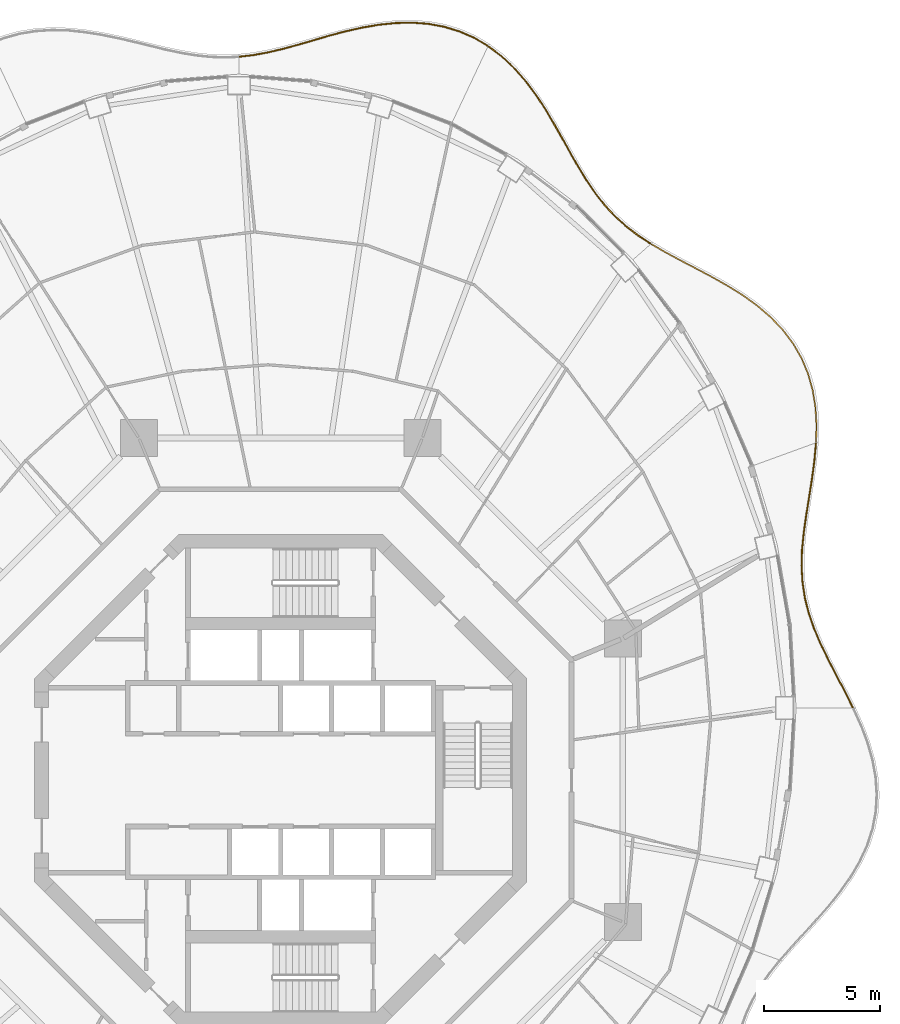
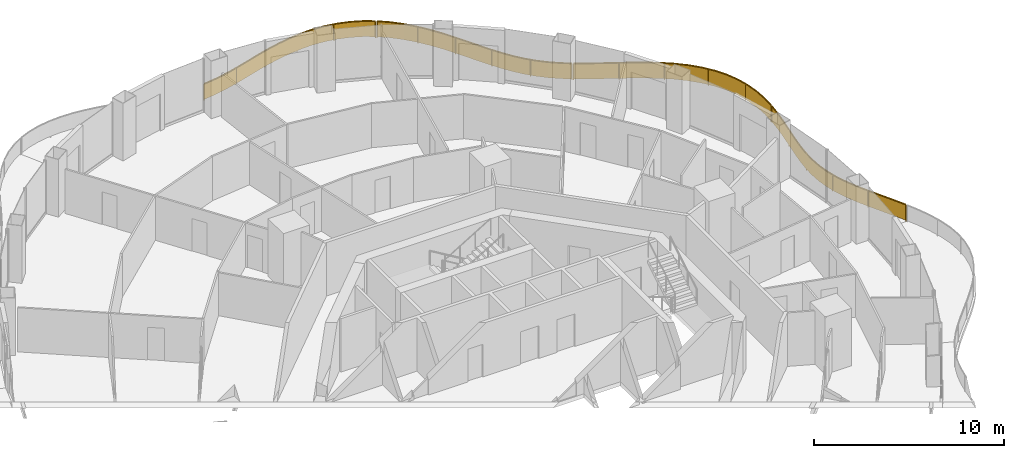
# One storey, part 18 of 18: 4 railings.
"""IFC4 building model written with IfcOpenShell, lengths in metres."""

from ifc_helpers import new_model, si_unit, direction, frame, origin, origin_2d, place, context, subcontext, project, spatial, polyline, rectangle, outline, extrude, material, type_object, element, save


model = new_model("IFC4")

# Units and contexts
model_context = context("Model", 3, precision=1e-05, world=origin(), true_north=direction((0.0, 1.0)))
body_context = subcontext(model_context, "Body", "Model", "MODEL_VIEW")
ifc_project = project(units=[si_unit("LENGTHUNIT", "METRE"), si_unit("AREAUNIT", "SQUARE_METRE"), si_unit("VOLUMEUNIT", "CUBIC_METRE"), si_unit("PLANEANGLEUNIT", "RADIAN"), si_unit("MASSUNIT", "GRAM", prefix="KILO")], contexts=[model_context])

# Site, building, storey
site_placement = place(None, origin())
site = spatial("IfcSite", under=ifc_project, at=site_placement, CompositionType="ELEMENT")
building_placement = place(site_placement, origin())
building = spatial("IfcBuilding", under=site, at=building_placement, Name="Nagisa Residences", CompositionType="ELEMENT")
storey_placement = place(building_placement, frame((0.0, 0.0, 245.5)))
storey = spatial("IfcBuildingStorey", under=building, at=storey_placement, Name="L62", CompositionType="ELEMENT", Elevation=245.5)

# Railings
ifc_material = material(Name="Stainless steel 316", Category="steel")
railing_type = type_object("IfcRailingType", Name="BALCONY GUARD 1100", PredefinedType="BALUSTRADE", material=ifc_material)
railing_1_placement = place(storey_placement, frame((24.716796875, 3.15185546875, 0.0)))
element("IfcRailing", 1, at=railing_1_placement, inside=storey, type_object=railing_type, Name="guard:L62:bal00-0", PredefinedType="BALUSTRADE", context=body_context, shape_type="SweptSolid", body=[
    extrude(outline(polyline([(-0.361083984375, 0.663818359375), (-0.0224609375, -0.01123046875), (0.0224609375, 0.01123046875), (-0.316650390625, 0.686767578125), (-0.682373046875, 1.387939453125), (-1.037841796875, 2.0751953125), (-1.365234375, 2.7509765625), (-1.6494140625, 3.41943359375), (-1.87744140625, 4.0712890625), (-2.044677734375, 4.73974609375), (-2.146728515625, 5.4169921875), (-2.184326171875, 6.107666015625), (-2.163818359375, 6.815673828125), (-2.09130859375, 7.530517578125), (-1.9873046875, 8.280029296875), (-1.86376953125, 9.049072265625), (-1.73974609375, 9.83447265625), (-1.633056640625, 10.631591796875), (-1.564453125, 11.387451171875), (-1.6142578125, 11.391845703125), (-1.682861328125, 10.636962890625), (-1.7890625, 9.841796875), (-1.9130859375, 9.056884765625), (-2.03662109375, 8.287353515625), (-2.14111328125, 7.536376953125), (-2.213623046875, 6.819091796875), (-2.234619140625, 6.107177734375), (-2.196533203125, 5.412109375), (-2.093994140625, 4.72998046875), (-1.92529296875, 4.05712890625), (-1.6962890625, 3.4013671875), (-1.41064453125, 2.73046875), (-1.082763671875, 2.052734375), (-0.726806640625, 1.364990234375), (-0.361083984375, 0.663818359375)])), frame((0.0, 0.0, 1.050048828125)), (0.0, 0.0, 1.0), 0.050048828125),
    extrude(outline(polyline([(-0.34521484375, 0.672119140625), (-0.00634765625, -0.003173828125), (0.00634765625, 0.003173828125), (-0.33251953125, 0.678466796875), (-0.698486328125, 1.379638671875), (-1.053955078125, 2.067138671875), (-1.381591796875, 2.74365234375), (-1.666259765625, 3.412841796875), (-1.894775390625, 4.066162109375), (-2.0625, 4.736328125), (-2.16455078125, 5.415283203125), (-2.202392578125, 6.107421875), (-2.181640625, 6.81689453125), (-2.109375, 7.53271484375), (-2.005126953125, 8.28271484375), (-1.881591796875, 9.0517578125), (-1.757568359375, 9.837158203125), (-1.651123046875, 10.633544921875), (-1.582275390625, 11.388916015625), (-1.596435546875, 11.390380859375), (-1.664794921875, 10.635009765625), (-1.771240234375, 9.839111328125), (-1.895263671875, 9.05419921875), (-2.018798828125, 8.28466796875), (-2.123046875, 7.5341796875), (-2.19580078125, 6.81787109375), (-2.216552734375, 6.107421875), (-2.1787109375, 5.413818359375), (-2.076171875, 4.7333984375), (-1.907958984375, 4.062255859375), (-1.679443359375, 3.407958984375), (-1.394287109375, 2.73779296875), (-1.066650390625, 2.060791015625), (-0.710693359375, 1.373291015625), (-0.34521484375, 0.672119140625)])), frame((0.0, 0.0, 0.06005859375)), (0.0, 0.0, 1.0), 0.989990234375),
    extrude(rectangle(XDim=0.0400390625, YDim=0.0400390625, at=origin_2d()), origin(), (0.0, 0.0, 1.0), 1.050048828125),
    extrude(rectangle(XDim=0.0400390625, YDim=0.0400390625, at=origin_2d()), frame((-1.085205078125, 2.115478515625, 0.0)), (0.0, 0.0, 1.0), 1.050048828125),
    extrude(rectangle(XDim=0.0400390625, YDim=0.0400390625, at=origin_2d()), frame((-1.965087890625, 4.319091796875, 0.0)), (0.0, 0.0, 1.0), 1.050048828125),
    extrude(rectangle(XDim=0.0400390625, YDim=0.0400390625, at=origin_2d()), frame((-2.19287109375, 6.675048828125, 0.0)), (0.0, 0.0, 1.0), 1.050048828125),
    extrude(rectangle(XDim=0.0400390625, YDim=0.0400390625, at=origin_2d()), frame((-1.891845703125, 9.0322265625, 0.0)), (0.0, 0.0, 1.0), 1.050048828125),
    extrude(rectangle(XDim=0.0400390625, YDim=0.0400390625, at=origin_2d()), frame((-1.58935546875, 11.3896484375, 0.0)), (0.0, 0.0, 1.0), 1.050048828125),
])
railing_2_placement = place(storey_placement, frame((23.1328125, 14.618408203125, 0.0)))
element("IfcRailing", 2, at=railing_2_placement, inside=storey, type_object=railing_type, Name="guard:L62:bal01-0", PredefinedType="BALUSTRADE", context=body_context, shape_type="SweptSolid", body=[
    extrude(outline(polyline([(-0.006103515625, 0.7265625), (-0.02490234375, 0.000732421875), (0.02490234375, -0.000732421875), (0.044189453125, 0.7275390625), (-0.001708984375, 1.490234375), (-0.121337890625, 2.233642578125), (-0.32177734375, 2.94970703125), (-0.60693359375, 3.630615234375), (-0.96923828125, 4.257568359375), (-1.41845703125, 4.85205078125), (-1.939453125, 5.399658203125), (-2.521728515625, 5.900634765625), (-3.152587890625, 6.357177734375), (-3.80859375, 6.762451171875), (-4.4912109375, 7.148681640625), (-5.17724609375, 7.512939453125), (-5.852783203125, 7.865478515625), (-6.505126953125, 8.217041015625), (-7.088134765625, 8.556884765625), (-7.113525390625, 8.513427734375), (-6.529541015625, 8.173583984375), (-5.876220703125, 7.821044921875), (-5.20068359375, 7.468505859375), (-4.51513671875, 7.104736328125), (-3.833984375, 6.719482421875), (-3.180419921875, 6.315673828125), (-2.552978515625, 5.861083984375), (-1.97412109375, 5.363525390625), (-1.45654296875, 4.81982421875), (-1.01123046875, 4.229736328125), (-0.65185546875, 3.608154296875), (-0.369140625, 2.93310546875), (-0.170166015625, 2.222900390625), (-0.051513671875, 1.48486328125), (-0.006103515625, 0.7265625)])), frame((0.0, 0.0, 1.050048828125)), (0.0, 0.0, 1.0), 0.050048828125),
    extrude(outline(polyline([(0.011962890625, 0.72705078125), (-0.007080078125, 0.000244140625), (0.007080078125, -0.000244140625), (0.026123046875, 0.72705078125), (-0.01953125, 1.48828125), (-0.138916015625, 2.229736328125), (-0.3388671875, 2.943603515625), (-0.623046875, 3.62255859375), (-0.984375, 4.24755859375), (-1.43212890625, 4.840576171875), (-1.951904296875, 5.38671875), (-2.532958984375, 5.886474609375), (-3.16259765625, 6.34228515625), (-3.817626953125, 6.7470703125), (-4.499755859375, 7.1328125), (-5.185791015625, 7.496826171875), (-5.861328125, 7.849365234375), (-6.513916015625, 8.201416015625), (-7.097412109375, 8.541259765625), (-7.104248046875, 8.529052734375), (-6.520751953125, 8.189208984375), (-5.86767578125, 7.837158203125), (-5.192138671875, 7.484619140625), (-4.506591796875, 7.12060546875), (-3.824951171875, 6.73486328125), (-3.17041015625, 6.33056640625), (-2.541748046875, 5.875244140625), (-1.961669921875, 5.37646484375), (-1.44287109375, 4.831298828125), (-0.99609375, 4.23974609375), (-0.6357421875, 3.6162109375), (-0.35205078125, 2.939208984375), (-0.152587890625, 2.226806640625), (-0.03369140625, 1.48681640625), (0.011962890625, 0.72705078125)])), frame((0.0, 0.0, 0.06005859375)), (0.0, 0.0, 1.0), 0.989990234375),
    extrude(rectangle(XDim=0.0400390625, YDim=0.0400390625, at=origin_2d()), origin(), (0.0, 0.0, 1.0), 1.050048828125),
    extrude(rectangle(XDim=0.0400390625, YDim=0.0400390625, at=origin_2d()), frame((-0.188232421875, 2.379638671875, 0.0)), (0.0, 0.0, 1.0), 1.050048828125),
    extrude(rectangle(XDim=0.0400390625, YDim=0.0400390625, at=origin_2d()), frame((-1.205322265625, 4.528564453125, 0.0)), (0.0, 0.0, 1.0), 1.050048828125),
    extrude(rectangle(XDim=0.0400390625, YDim=0.0400390625, at=origin_2d()), frame((-2.93603515625, 6.169677734375, 0.0)), (0.0, 0.0, 1.0), 1.050048828125),
    extrude(rectangle(XDim=0.0400390625, YDim=0.0400390625, at=origin_2d()), frame((-4.996826171875, 7.388671875, 0.0)), (0.0, 0.0, 1.0), 1.050048828125),
    extrude(rectangle(XDim=0.0400390625, YDim=0.0400390625, at=origin_2d()), frame((-7.100830078125, 8.53515625, 0.0)), (0.0, 0.0, 1.0), 1.050048828125),
])
railing_3_placement = place(storey_placement, frame((15.96923828125, 23.189697265625, 0.0)))
element("IfcRailing", 3, at=railing_3_placement, inside=storey, type_object=railing_type, Name="guard:L62:bal02-0", PredefinedType="BALUSTRADE", context=body_context, shape_type="SweptSolid", body=[
    extrude(outline(polyline([(-0.532958984375, 0.32080078125), (-0.013671875, -0.02099609375), (0.013671875, 0.02099609375), (-0.504150390625, 0.36181640625), (-1.017822265625, 0.754150390625), (-1.49169921875, 1.180419921875), (-1.927978515625, 1.645263671875), (-2.33154296875, 2.150634765625), (-2.696533203125, 2.685302734375), (-3.05615234375, 3.267578125), (-3.407958984375, 3.880859375), (-3.761474609375, 4.516357421875), (-4.12744140625, 5.16357421875), (-4.501708984375, 5.80126953125), (-4.91943359375, 6.433837890625), (-5.37451171875, 7.03857421875), (-5.871337890625, 7.601318359375), (-6.41259765625, 8.10986328125), (-6.958984375, 8.524658203125), (-6.9892578125, 8.484619140625), (-6.44482421875, 8.07177734375), (-5.907470703125, 7.566650390625), (-5.4130859375, 7.0068359375), (-4.96044921875, 6.405029296875), (-4.544189453125, 5.77490234375), (-4.1708984375, 5.138671875), (-3.804931640625, 4.491943359375), (-3.451416015625, 3.8564453125), (-3.09912109375, 3.2421875), (-2.738525390625, 2.657958984375), (-2.37158203125, 2.120849609375), (-1.966064453125, 1.612548828125), (-1.52685546875, 1.144775390625), (-1.049560546875, 0.715576171875), (-0.532958984375, 0.32080078125)])), frame((0.0, 0.0, 1.050048828125)), (0.0, 0.0, 1.0), 0.050048828125),
    extrude(outline(polyline([(-0.522705078125, 0.335693359375), (-0.00390625, -0.005859375), (0.00390625, 0.005859375), (-0.514404296875, 0.346923828125), (-1.029296875, 0.740234375), (-1.50439453125, 1.167724609375), (-1.941650390625, 1.633544921875), (-2.345947265625, 2.139892578125), (-2.711669921875, 2.675537109375), (-3.071533203125, 3.258544921875), (-3.423583984375, 3.8720703125), (-3.777099609375, 4.507568359375), (-4.14306640625, 5.154541015625), (-4.51708984375, 5.791748046875), (-4.934326171875, 6.423583984375), (-5.388427734375, 7.027099609375), (-5.88427734375, 7.5888671875), (-6.424072265625, 8.09619140625), (-6.969970703125, 8.51025390625), (-6.978271484375, 8.4990234375), (-6.433349609375, 8.08544921875), (-5.89453125, 7.5791015625), (-5.399169921875, 7.018310546875), (-4.945556640625, 6.415283203125), (-4.52880859375, 5.784423828125), (-4.1552734375, 5.147705078125), (-3.789306640625, 4.500732421875), (-3.435791015625, 3.865234375), (-3.083740234375, 3.251220703125), (-2.723388671875, 2.667724609375), (-2.357177734375, 2.131591796875), (-1.952392578125, 1.624267578125), (-1.51416015625, 1.157470703125), (-1.0380859375, 0.7294921875), (-0.522705078125, 0.335693359375)])), frame((0.0, 0.0, 0.06005859375)), (0.0, 0.0, 1.0), 0.989990234375),
    extrude(rectangle(XDim=0.0400390625, YDim=0.0400390625, at=origin_2d()), origin(), (0.0, 0.0, 1.0), 1.050048828125),
    extrude(rectangle(XDim=0.0400390625, YDim=0.0400390625, at=origin_2d()), frame((-1.726806640625, 1.394287109375, 0.0)), (0.0, 0.0, 1.0), 1.050048828125),
    extrude(rectangle(XDim=0.0400390625, YDim=0.0400390625, at=origin_2d()), frame((-3.03662109375, 3.1884765625, 0.0)), (0.0, 0.0, 1.0), 1.050048828125),
    extrude(rectangle(XDim=0.0400390625, YDim=0.0400390625, at=origin_2d()), frame((-4.134521484375, 5.12548828125, 0.0)), (0.0, 0.0, 1.0), 1.050048828125),
    extrude(rectangle(XDim=0.0400390625, YDim=0.0400390625, at=origin_2d()), frame((-5.36181640625, 6.980224609375, 0.0)), (0.0, 0.0, 1.0), 1.050048828125),
    extrude(rectangle(XDim=0.0400390625, YDim=0.0400390625, at=origin_2d()), frame((-6.97412109375, 8.504638671875, 0.0)), (0.0, 0.0, 1.0), 1.050048828125),
])
railing_4_placement = place(storey_placement, frame((8.93115234375, 31.73779296875, 0.0)))
element("IfcRailing", 4, at=railing_4_placement, inside=storey, type_object=railing_type, Name="guard:L62:bal03-0", PredefinedType="BALUSTRADE", context=body_context, shape_type="SweptSolid", body=[
    extrude(outline(polyline([(-0.572998046875, 0.309814453125), (-0.0126953125, -0.021484375), (0.0126953125, 0.021484375), (-0.550048828125, 0.354248046875), (-1.19140625, 0.63623046875), (-1.86376953125, 0.8408203125), (-2.560791015625, 0.968017578125), (-3.275634765625, 1.020751953125), (-3.984130859375, 0.99951171875), (-4.71240234375, 0.923828125), (-5.43798828125, 0.79833984375), (-6.154541015625, 0.6357421875), (-6.85888671875, 0.44921875), (-7.529541015625, 0.249755859375), (-8.200439453125, 0.056640625), (-8.854736328125, -0.120849609375), (-9.494384765625, -0.27099609375), (-10.1220703125, -0.385009765625), (-10.69970703125, -0.4521484375), (-10.69384765625, -0.501953125), (-10.11474609375, -0.434326171875), (-9.484130859375, -0.31982421875), (-8.842529296875, -0.169189453125), (-8.186767578125, 0.00830078125), (-7.515380859375, 0.201904296875), (-6.84521484375, 0.40087890625), (-6.142822265625, 0.5869140625), (-5.42822265625, 0.7490234375), (-4.70556640625, 0.8740234375), (-3.980712890625, 0.94970703125), (-3.276611328125, 0.970458984375), (-2.567138671875, 0.918212890625), (-1.87548828125, 0.7919921875), (-1.208984375, 0.58935546875), (-0.572998046875, 0.309814453125)])), frame((0.0, 0.0, 1.050048828125)), (0.0, 0.0, 1.0), 0.050048828125),
    extrude(outline(polyline([(-0.564697265625, 0.32568359375), (-0.003662109375, -0.006103515625), (0.003662109375, 0.006103515625), (-0.558349609375, 0.33837890625), (-1.19775390625, 0.619384765625), (-1.867919921875, 0.8232421875), (-2.56298828125, 0.949951171875), (-3.27587890625, 1.002685546875), (-3.98291015625, 0.981689453125), (-4.7099609375, 0.90576171875), (-5.4345703125, 0.780517578125), (-6.150390625, 0.6181640625), (-6.85400390625, 0.431884765625), (-7.5244140625, 0.232666015625), (-8.195556640625, 0.039306640625), (-8.850341796875, -0.13818359375), (-9.49072265625, -0.28857421875), (-10.119384765625, -0.40283203125), (-10.697509765625, -0.47021484375), (-10.696044921875, -0.48388671875), (-10.117431640625, -0.41650390625), (-9.48779296875, -0.30224609375), (-8.846923828125, -0.15185546875), (-8.191650390625, 0.025634765625), (-7.5205078125, 0.218994140625), (-6.85009765625, 0.418212890625), (-6.14697265625, 0.6044921875), (-5.431640625, 0.766845703125), (-4.7080078125, 0.89208984375), (-3.98193359375, 0.967529296875), (-3.2763671875, 0.988525390625), (-2.56494140625, 0.936279296875), (-1.871337890625, 0.8095703125), (-1.20263671875, 0.606201171875), (-0.564697265625, 0.32568359375)])), frame((0.0, 0.0, 0.06005859375)), (0.0, 0.0, 1.0), 0.989990234375),
    extrude(rectangle(XDim=0.0400390625, YDim=0.0400390625, at=origin_2d()), origin(), (0.0, 0.0, 1.0), 1.050048828125),
    extrude(rectangle(XDim=0.0400390625, YDim=0.0400390625, at=origin_2d()), frame((-2.029052734375, 0.845458984375, 0.0)), (0.0, 0.0, 1.0), 1.050048828125),
    extrude(rectangle(XDim=0.0400390625, YDim=0.0400390625, at=origin_2d()), frame((-4.228515625, 0.948974609375, 0.0)), (0.0, 0.0, 1.0), 1.050048828125),
    extrude(rectangle(XDim=0.0400390625, YDim=0.0400390625, at=origin_2d()), frame((-6.400146484375, 0.544677734375, 0.0)), (0.0, 0.0, 1.0), 1.050048828125),
    extrude(rectangle(XDim=0.0400390625, YDim=0.0400390625, at=origin_2d()), frame((-8.528076171875, -0.05810546875, 0.0)), (0.0, 0.0, 1.0), 1.050048828125),
    extrude(rectangle(XDim=0.0400390625, YDim=0.0400390625, at=origin_2d()), frame((-10.69677734375, -0.47705078125, 0.0)), (0.0, 0.0, 1.0), 1.050048828125),
])

save(model, "model.ifc")
